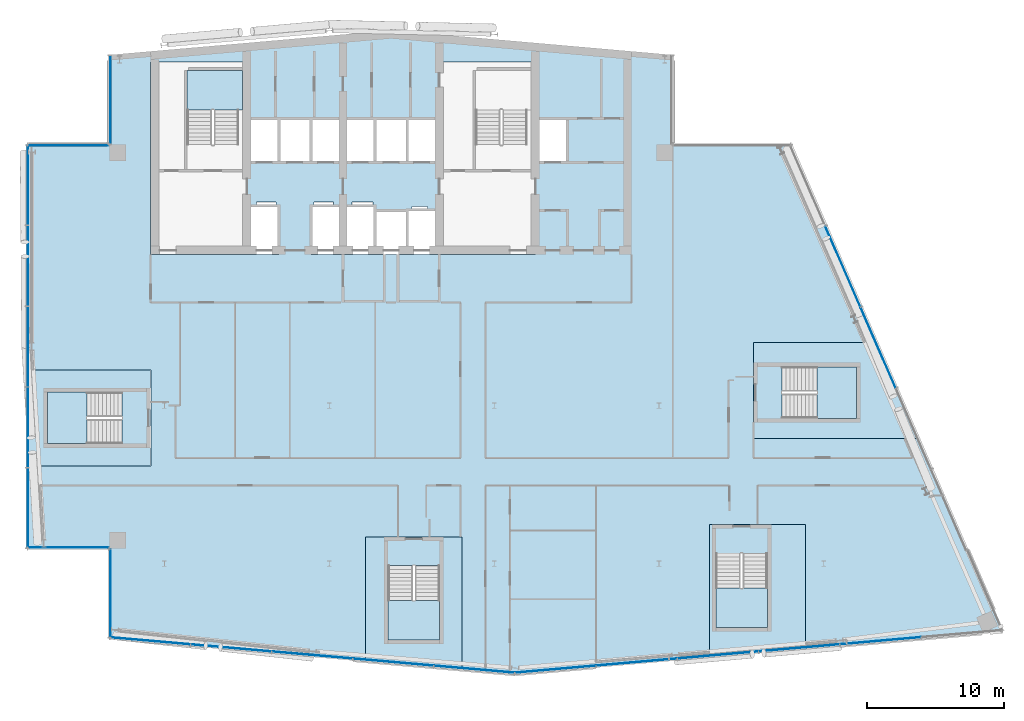
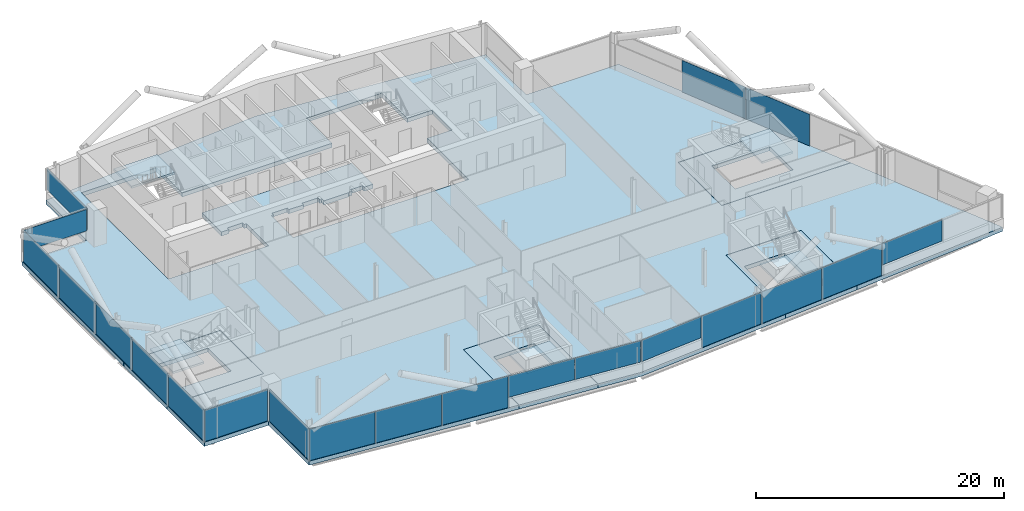
# One storey, part 13 of 26: 21 plates, 10 slabs, 13 elements without a shape of their own.
"""IFC4 building model written with IfcOpenShell, lengths in metres."""

import ifcopenshell
import ifcopenshell.guid

model = None  # the IFC model being written
_history = None  # IfcOwnerHistory: only IFC2X3 demands one
_inside = {}  # id of a spatial element -> (the spatial element, [elements in it])
_under = {}  # id of a project, library or spatial element -> (it, [spatial elements below it])
_declared = {}  # id of a project -> (the project, [libraries it declares])
_typed = {}  # id of a type object -> (the type object, [elements of that type])
_made_of = {}  # id of a material, layer set ... -> (it, [elements and type objects made of it])


def new_model(schema):
    """Start an empty IFC model of exactly this schema.

    Asked for "IFC4X3", IfcOpenShell would pick the latest addendum, in which some entities
    have other attributes; the version numbers below select the first issue.
    IFC2X3 requires an IfcOwnerHistory on every rooted entity: one is made here for all.
    """
    global model, _history
    if schema == "IFC4X3":
        model = ifcopenshell.file(schema_version=(4, 3, 0, 0))
    else:
        model = ifcopenshell.file(schema=schema)
    _inside.clear()
    _under.clear()
    _declared.clear()
    _typed.clear()
    _made_of.clear()
    _history = None
    if model.schema == "IFC2X3":
        org = make("IfcOrganization", Name="unknown")
        user = make(
            "IfcPersonAndOrganization",
            ThePerson=make("IfcPerson", FamilyName="unknown"),
            TheOrganization=org,
        )
        app = make(
            "IfcApplication",
            ApplicationDeveloper=org,
            Version="unknown",
            ApplicationFullName="unknown",
            ApplicationIdentifier="unknown",
        )
        _history = make(
            "IfcOwnerHistory",
            OwningUser=user,
            OwningApplication=app,
            ChangeAction="ADDED",
            CreationDate=0,
        )
    return model


def make(cls, **values):
    """One entity of the class cls with the attributes given. An attribute that is None is left unset."""
    return model.create_entity(
        cls, **{name: value for name, value in values.items() if value is not None}
    )


def rooted(cls, **values):
    """An entity with a GlobalId (a new one), such as an element, a storey or a relation."""
    return make(cls, GlobalId=ifcopenshell.guid.new(), OwnerHistory=_history, **values)


def si_unit(unit_type, name, prefix=None):
    """IfcSIUnit, for example si_unit("LENGTHUNIT", "METRE", prefix="MILLI")."""
    return make("IfcSIUnit", UnitType=unit_type, Prefix=prefix, Name=name)


def assignment(units):
    """IfcUnitAssignment: the units of a project."""
    return None if units is None else make("IfcUnitAssignment", Units=units)


def point(xyz):
    """IfcCartesianPoint."""
    return None if xyz is None else make("IfcCartesianPoint", Coordinates=xyz)


def direction(xyz):
    """IfcDirection."""
    return None if xyz is None else make("IfcDirection", DirectionRatios=xyz)


def frame(location, z_axis=None, x_axis=None):
    """IfcAxis2Placement3D, a coordinate frame: its origin and axes. An axis left out is left unset."""
    return make(
        "IfcAxis2Placement3D",
        Location=point(location),
        Axis=direction(z_axis),
        RefDirection=direction(x_axis),
    )


def frame_2d(location, x_axis=None):
    """IfcAxis2Placement2D, a coordinate frame in the plane: its origin and x axis."""
    return make(
        "IfcAxis2Placement2D", Location=point(location), RefDirection=direction(x_axis)
    )


def origin():
    """The frame at (0, 0, 0) with its axes left unset."""
    return frame((0.0, 0.0, 0.0))


def origin_2d():
    """The frame at (0, 0) in the plane with its x axis left unset."""
    return frame_2d((0.0, 0.0))


def place(relative_to, where):
    """IfcLocalPlacement: puts the frame where relative to a parent placement (None: the world)."""
    return make(
        "IfcLocalPlacement", PlacementRelTo=relative_to, RelativePlacement=where
    )


def context(
    kind, dimensions, precision=None, world=None, true_north=None, identifier=None
):
    """IfcGeometricRepresentationContext, for example the 3D "Model" context."""
    return make(
        "IfcGeometricRepresentationContext",
        ContextIdentifier=identifier,
        ContextType=kind,
        CoordinateSpaceDimension=dimensions,
        Precision=precision,
        WorldCoordinateSystem=world,
        TrueNorth=true_north,
    )


def subcontext(parent, identifier, kind, view, scale=None):
    """IfcGeometricRepresentationSubContext, for example "Body" below "Model"."""
    return make(
        "IfcGeometricRepresentationSubContext",
        ContextIdentifier=identifier,
        ContextType=kind,
        ParentContext=parent,
        TargetScale=scale,
        TargetView=view,
    )


def project(units=None, contexts=None):
    """IfcProject with its units and contexts."""
    return rooted(
        "IfcProject",
        Name="project",
        RepresentationContexts=contexts,
        UnitsInContext=assignment(units),
    )


def spatial(cls, under=None, at=None, **own):
    """A site, building, storey or space (cls), placed at a placement, below another one or the project."""
    s = rooted(cls, ObjectPlacement=at, **own)
    if under is not None:
        _under.setdefault(under.id(), (under, []))[1].append(s)
    return s


def polyline(points):
    """IfcPolyline through the points."""
    return make("IfcPolyline", Points=[point(p) for p in points])


def profile(cls, at=None, kind="AREA", **sizes):
    """A parametric profile (cls). Its sizes go by their IFC names, for example OverallWidth=200.0."""
    return make(cls, ProfileType=kind, Position=at, **sizes)


def rectangle(**sizes):
    """IfcRectangleProfileDef."""
    return profile("IfcRectangleProfileDef", **sizes)


def outline(outer, holes=None, kind="AREA"):
    """IfcArbitraryClosedProfileDef: a profile drawn as a closed curve; with holes, ...WithVoids."""
    if holes is None:
        return make("IfcArbitraryClosedProfileDef", ProfileType=kind, OuterCurve=outer)
    return make(
        "IfcArbitraryProfileDefWithVoids",
        ProfileType=kind,
        OuterCurve=outer,
        InnerCurves=holes,
    )


def extrude(swept, where, along, depth):
    """IfcExtrudedAreaSolid: the profile swept, set in the frame where, extruded along a direction by depth."""
    return make(
        "IfcExtrudedAreaSolid",
        SweptArea=swept,
        Position=where,
        ExtrudedDirection=direction(along),
        Depth=depth,
    )


def shape(context_of_items, identifier, shape_type, items):
    """IfcShapeRepresentation: the items that make up one representation, for example the "Body"."""
    return make(
        "IfcShapeRepresentation",
        ContextOfItems=context_of_items,
        RepresentationIdentifier=identifier,
        RepresentationType=shape_type,
        Items=items,
    )


def material(Name=None, Category=None):
    """IfcMaterial."""
    return make("IfcMaterial", Name=Name, Category=Category)


def layer(
    of_material, thickness, ventilated=None, Name=None, Category=None, Priority=None
):
    """IfcMaterialLayer: one layer of a wall or slab, of a material (None: an air gap)."""
    return make(
        "IfcMaterialLayer",
        Material=of_material,
        LayerThickness=thickness,
        IsVentilated=ventilated,
        Name=Name,
        Category=Category,
        Priority=Priority,
    )


def layer_set(layers, Name=None):
    """IfcMaterialLayerSet."""
    return make("IfcMaterialLayerSet", MaterialLayers=layers, LayerSetName=Name)


def made_of(thing, what):
    """Note that an element or type object is made of a material, layer set ...; save() writes the relation."""
    if what is not None:
        _made_of.setdefault(what.id(), (what, []))[1].append(thing)
    return thing


def type_object(cls, material=None, **own):
    """A type object (cls), such as IfcWallType, which elements share."""
    return made_of(rooted(cls, **own), material)


def element(
    cls,
    number,
    at=None,
    inside=None,
    cuts=None,
    type_object=None,
    material=None,
    context=None,
    identifier="Body",
    shape_type=None,
    held_by="IfcProductDefinitionShape",
    body=None,
    shapes=None,
    **own,
):
    """One element of the class cls, such as IfcWall. Its Tag is "e" and its number.

    at: its placement. inside: the storey or other place that contains it. cuts: it is an
    opening in that element (IfcRelVoidsElement). A single representation is given by context,
    identifier, shape_type and body (its items); several are given by shapes. held_by: the class
    of the entity that holds the representations. save() writes the other relations.
    """
    e = rooted(cls, Tag="e%d" % number, ObjectPlacement=at, **own)
    if body is not None:
        shapes = [shape(context, identifier, shape_type, body)]
    if shapes is not None:
        e.Representation = make(held_by, Representations=shapes)
    if inside is not None:
        _inside.setdefault(inside.id(), (inside, []))[1].append(e)
    if cuts is not None:
        rooted(
            "IfcRelVoidsElement", RelatingBuildingElement=cuts, RelatedOpeningElement=e
        )
    if type_object is not None:
        _typed.setdefault(type_object.id(), (type_object, []))[1].append(e)
    return made_of(e, material)


def aggregate(whole, parts):
    """IfcRelAggregates: a whole, such as a stair, and the parts it consists of."""
    return rooted("IfcRelAggregates", RelatingObject=whole, RelatedObjects=parts)


def save(model, path):
    """Write the relations noted so far, then the file.

    IfcRelAggregates (storeys below a building ...), IfcRelContainedInSpatialStructure (elements
    in a storey), IfcRelDefinesByType, IfcRelAssociatesMaterial and IfcRelDeclares: one each for
    every whole, place, type object, material and project.
    """
    for whole, parts in _under.values():
        aggregate(whole, parts)
    for where, things in _inside.values():
        rooted(
            "IfcRelContainedInSpatialStructure",
            RelatedElements=things,
            RelatingStructure=where,
        )
    for kind, things in _typed.values():
        rooted("IfcRelDefinesByType", RelatedObjects=things, RelatingType=kind)
    for what, things in _made_of.values():
        rooted("IfcRelAssociatesMaterial", RelatedObjects=things, RelatingMaterial=what)
    for by, libraries in _declared.values():
        rooted("IfcRelDeclares", RelatingContext=by, RelatedDefinitions=libraries)
    model.write(path)


model = new_model("IFC4")

# Units and contexts
model_context = context("Model", 3, precision=1e-05, world=origin(), true_north=direction((0.0, 1.0)))
body_context = subcontext(model_context, "Body", "Model", "MODEL_VIEW")
ifc_project = project(units=[si_unit("LENGTHUNIT", "METRE"), si_unit("AREAUNIT", "SQUARE_METRE"), si_unit("VOLUMEUNIT", "CUBIC_METRE"), si_unit("PLANEANGLEUNIT", "RADIAN"), si_unit("MASSUNIT", "GRAM", prefix="KILO")], contexts=[model_context])

# Site, building, storey
site_placement = place(None, origin())
site = spatial("IfcSite", under=ifc_project, at=site_placement, CompositionType="ELEMENT")
building_placement = place(site_placement, origin())
building = spatial("IfcBuilding", under=site, at=building_placement, Name="Wharfspan Tower", CompositionType="ELEMENT")
storey_placement = place(building_placement, frame((0.0, 0.0, 217.899902)))
storey = spatial("IfcBuildingStorey", under=building, at=storey_placement, Name="L54", CompositionType="ELEMENT", Elevation=217.899902)

# Curtain wall, plates
ifc_material_1 = material(Name="Aluminium 6063-T6", Category="aluminium")
curtain_wall_type_1 = type_object("IfcCurtainWallType", Name="CURTAIN WALL FACETED FRONT", PredefinedType="NOTDEFINED", material=ifc_material_1)
curtain_wall_1_placement = place(storey_placement, origin())
curtain_wall_1 = element("IfcCurtainWall", 1, at=curtain_wall_1_placement, inside=storey, type_object=curtain_wall_type_1, Name="Curtain wall S1", PredefinedType="NOTDEFINED")
ifc_material_2 = material(Name="Glass clear low-iron double glazing", Category="glass")
ifc_layer_1 = layer(ifc_material_2, 0.040039)
ifc_layer_set_1 = layer_set([ifc_layer_1], Name="Glass clear low-iron double glazing")
plate_type_1 = type_object("IfcPlateType", Name="GLASS PANEL FACETED FRONT 40", PredefinedType="CURTAIN_PANEL", material=ifc_layer_set_1)
plate_1_placement = place(storey_placement, frame((40.655273, 4.328125, 1.0), z_axis=(0.0, 0.0, 1.0), x_axis=(0.996197, -0.087156, 0.0)))
plate_1 = element("IfcPlate", 2, at=plate_1_placement, type_object=plate_type_1, Name="Curtain wall S1 panel 4", PredefinedType="CURTAIN_PANEL", context=body_context, shape_type="SweptSolid", body=[
    extrude(rectangle(XDim=5.862549, YDim=0.040039, at=origin_2d()), origin(), (0.0, 0.0, 1.0), 2.120117),
])
plate_2_placement = place(storey_placement, frame((46.540283, 3.813232, 1.0), z_axis=(0.0, 0.0, 1.0), x_axis=(0.996197, -0.087156, 0.0)))
plate_2 = element("IfcPlate", 3, at=plate_2_placement, type_object=plate_type_1, Name="Curtain wall S1 panel 5", PredefinedType="CURTAIN_PANEL", context=body_context, shape_type="SweptSolid", body=[
    extrude(rectangle(XDim=5.83252, YDim=0.040039, at=origin_2d()), origin(), (0.0, 0.0, 1.0), 2.120117),
])

curtain_wall_2_placement = place(storey_placement, origin())
curtain_wall_2 = element("IfcCurtainWall", 4, at=curtain_wall_2_placement, inside=storey, type_object=curtain_wall_type_1, Name="Curtain wall S2", PredefinedType="NOTDEFINED")
plate_3_placement = place(storey_placement, frame((52.468018, 3.813965, 1.0), z_axis=(0.0, 0.0, 1.0), x_axis=(0.996197, 0.087156, 0.0)))
plate_3 = element("IfcPlate", 5, at=plate_3_placement, type_object=plate_type_1, Name="Curtain wall S2 panel 1", PredefinedType="CURTAIN_PANEL", context=body_context, shape_type="SweptSolid", body=[
    extrude(rectangle(XDim=5.849365, YDim=0.040039, at=origin_2d()), origin(), (0.0, 0.0, 1.0), 2.120117),
])
plate_4_placement = place(storey_placement, frame((76.119873, 5.883301, 1.0), z_axis=(0.0, 0.0, 1.0), x_axis=(0.996197, 0.087156, 0.0)))
plate_4 = element("IfcPlate", 6, at=plate_4_placement, type_object=plate_type_1, Name="Curtain wall S2 panel 5", PredefinedType="CURTAIN_PANEL", context=body_context, shape_type="SweptSolid", body=[
    extrude(rectangle(XDim=5.87915, YDim=0.040039, at=origin_2d()), origin(), (0.0, 0.0, 1.0), 2.120117),
])

# Curtain wall, plate
curtain_wall_type_2 = type_object("IfcCurtainWallType", Name="CURTAIN WALL PROW AND END", PredefinedType="NOTDEFINED", material=ifc_material_1)
curtain_wall_3_placement = place(storey_placement, origin())
curtain_wall_3 = element("IfcCurtainWall", 7, at=curtain_wall_3_placement, inside=storey, type_object=curtain_wall_type_2, Name="Curtain wall NRW-V", PredefinedType="NOTDEFINED")
ifc_layer_2 = layer(ifc_material_2, 0.040039)
ifc_layer_set_2 = layer_set([ifc_layer_2], Name="Glass clear low-iron double glazing")
plate_type_2 = type_object("IfcPlateType", Name="GLASS PANEL PROW AND END 40", PredefinedType="CURTAIN_PANEL", material=ifc_layer_set_2)
plate_5_placement = place(storey_placement, frame((20.080078, 45.262451, 1.0), z_axis=(0.0, 0.0, 1.0), x_axis=(0.0, -1.0, 0.0)))
plate_5 = element("IfcPlate", 8, at=plate_5_placement, type_object=plate_type_2, Name="Curtain wall NRW-V panel 1", PredefinedType="CURTAIN_PANEL", context=body_context, shape_type="SweptSolid", body=[
    extrude(rectangle(XDim=6.405029, YDim=0.040039, at=origin_2d()), origin(), (0.0, 0.0, 1.0), 2.120117),
])
aggregate(curtain_wall_3, [plate_5])

curtain_wall_4_placement = place(storey_placement, origin())
curtain_wall_4 = element("IfcCurtainWall", 9, at=curtain_wall_4_placement, inside=storey, type_object=curtain_wall_type_2, Name="Curtain wall NRW-H", PredefinedType="NOTDEFINED")
plate_6_placement = place(storey_placement, frame((17.0, 41.919922, 1.0), z_axis=(0.0, 0.0, 1.0), x_axis=(-1.0, 0.0, 0.0)))
plate_6 = element("IfcPlate", 10, at=plate_6_placement, type_object=plate_type_2, Name="Curtain wall NRW-H panel 1", PredefinedType="CURTAIN_PANEL", context=body_context, shape_type="SweptSolid", body=[
    extrude(rectangle(XDim=5.879883, YDim=0.040039, at=origin_2d()), origin(), (0.0, 0.0, 1.0), 2.120117),
])
aggregate(curtain_wall_4, [plate_6])

# Plate
ifc_material_3 = material(Name="Aluminium composite opaque insulated panel", Category="aluminium")
ifc_layer_3 = layer(ifc_material_3, 0.040039)
ifc_layer_set_3 = layer_set([ifc_layer_3], Name="Aluminium composite opaque insulated panel")
plate_type_3 = type_object("IfcPlateType", Name="INFILL PANEL FACETED FRONT OPAQUE 40", PredefinedType="SHEET", material=ifc_layer_set_3)
plate_7_placement = place(storey_placement, frame((22.970215, 5.875488, 0.0), z_axis=(0.0, 0.0, 1.0), x_axis=(0.996197, -0.087156, 0.0)))
plate_7 = element("IfcPlate", 11, at=plate_7_placement, type_object=plate_type_3, Name="Curtain wall S1 panel 1", PredefinedType="SHEET", context=body_context, shape_type="SweptSolid", body=[
    extrude(rectangle(XDim=5.83252, YDim=0.040039, at=origin_2d()), origin(), (0.0, 0.0, 1.0), 3.120117),
])

plate_8_placement = place(storey_placement, frame((28.855225, 5.360596, 0.0), z_axis=(0.0, 0.0, 1.0), x_axis=(0.996197, -0.087156, 0.0)))
plate_8 = element("IfcPlate", 12, at=plate_8_placement, type_object=plate_type_3, Name="Curtain wall S1 panel 2", PredefinedType="SHEET", context=body_context, shape_type="SweptSolid", body=[
    extrude(rectangle(XDim=5.862549, YDim=0.040039, at=origin_2d()), origin(), (0.0, 0.0, 1.0), 3.120117),
])

plate_9_placement = place(storey_placement, frame((34.755127, 4.844482, 0.0), z_axis=(0.0, 0.0, 1.0), x_axis=(0.996197, -0.087156, 0.0)))
plate_9 = element("IfcPlate", 13, at=plate_9_placement, type_object=plate_type_3, Name="Curtain wall S1 panel 3", PredefinedType="SHEET", context=body_context, shape_type="SweptSolid", body=[
    extrude(rectangle(XDim=5.862549, YDim=0.040039, at=origin_2d()), origin(), (0.0, 0.0, 1.0), 3.120117),
])

aggregate(curtain_wall_1, [plate_7, plate_8, plate_9, plate_1, plate_2])

plate_10_placement = place(storey_placement, frame((58.369873, 4.330322, 0.0), z_axis=(0.0, 0.0, 1.0), x_axis=(0.996197, 0.087156, 0.0)))
plate_10 = element("IfcPlate", 14, at=plate_10_placement, type_object=plate_type_3, Name="Curtain wall S2 panel 2", PredefinedType="SHEET", context=body_context, shape_type="SweptSolid", body=[
    extrude(rectangle(XDim=5.87915, YDim=0.040039, at=origin_2d()), origin(), (0.0, 0.0, 1.0), 3.120117),
])

plate_11_placement = place(storey_placement, frame((64.286377, 4.848145, 0.0), z_axis=(0.0, 0.0, 1.0), x_axis=(0.996197, 0.087156, 0.0)))
plate_11 = element("IfcPlate", 15, at=plate_11_placement, type_object=plate_type_3, Name="Curtain wall S2 panel 3", PredefinedType="SHEET", context=body_context, shape_type="SweptSolid", body=[
    extrude(rectangle(XDim=5.87915, YDim=0.040039, at=origin_2d()), origin(), (0.0, 0.0, 1.0), 3.120117),
])

plate_12_placement = place(storey_placement, frame((70.203125, 5.365723, 0.0), z_axis=(0.0, 0.0, 1.0), x_axis=(0.996197, 0.087156, 0.0)))
plate_12 = element("IfcPlate", 16, at=plate_12_placement, type_object=plate_type_3, Name="Curtain wall S2 panel 4", PredefinedType="SHEET", context=body_context, shape_type="SweptSolid", body=[
    extrude(rectangle(XDim=5.87915, YDim=0.040039, at=origin_2d()), origin(), (0.0, 0.0, 1.0), 3.120117),
])

aggregate(curtain_wall_2, [plate_3, plate_10, plate_11, plate_12, plate_4])

# Curtain wall, plates
curtain_wall_5_placement = place(storey_placement, origin())
curtain_wall_5 = element("IfcCurtainWall", 17, at=curtain_wall_5_placement, inside=storey, type_object=curtain_wall_type_2, Name="Curtain wall E", PredefinedType="NOTDEFINED")
ifc_layer_4 = layer(ifc_material_3, 0.040039)
ifc_layer_set_4 = layer_set([ifc_layer_4], Name="Aluminium composite opaque insulated panel")
plate_type_4 = type_object("IfcPlateType", Name="INFILL PANEL PROW AND END OPAQUE 40", PredefinedType="SHEET", material=ifc_layer_set_4)
plate_13_placement = place(storey_placement, frame((75.948486, 27.218018, 0.0), z_axis=(0.0, 0.0, 1.0), x_axis=(-0.398727, 0.917072, 0.0)))
plate_13 = element("IfcPlate", 18, at=plate_13_placement, type_object=plate_type_4, Name="Curtain wall E panel 4", PredefinedType="SHEET", context=body_context, shape_type="SweptSolid", body=[
    extrude(rectangle(XDim=6.373535, YDim=0.040039, at=origin_2d()), origin(), (0.0, 0.0, 1.0), 3.120117),
])
plate_14_placement = place(storey_placement, frame((73.383057, 33.118164, 0.0), z_axis=(0.0, 0.0, 1.0), x_axis=(-0.398727, 0.917072, 0.0)))
plate_14 = element("IfcPlate", 19, at=plate_14_placement, type_object=plate_type_4, Name="Curtain wall E panel 5", PredefinedType="SHEET", context=body_context, shape_type="SweptSolid", body=[
    extrude(rectangle(XDim=6.373535, YDim=0.040039, at=origin_2d()), origin(), (0.0, 0.0, 1.0), 3.120117),
])
aggregate(curtain_wall_5, [plate_13, plate_14])

curtain_wall_6_placement = place(storey_placement, origin())
curtain_wall_6 = element("IfcCurtainWall", 20, at=curtain_wall_6_placement, inside=storey, type_object=curtain_wall_type_2, Name="Curtain wall W", PredefinedType="NOTDEFINED")
plate_15_placement = place(storey_placement, frame((14.080078, 39.044922, 0.0), z_axis=(0.0, 0.0, 1.0), x_axis=(0.0, -1.0, 0.0)))
plate_15 = element("IfcPlate", 21, at=plate_15_placement, type_object=plate_type_4, Name="Curtain wall W panel 1", PredefinedType="SHEET", context=body_context, shape_type="SweptSolid", body=[
    extrude(rectangle(XDim=5.790039, YDim=0.040039, at=origin_2d()), origin(), (0.0, 0.0, 1.0), 3.120117),
])
plate_16_placement = place(storey_placement, frame((14.080078, 33.179932, 0.0), z_axis=(0.0, 0.0, 1.0), x_axis=(0.0, -1.0, 0.0)))
plate_16 = element("IfcPlate", 22, at=plate_16_placement, type_object=plate_type_4, Name="Curtain wall W panel 2", PredefinedType="SHEET", context=body_context, shape_type="SweptSolid", body=[
    extrude(rectangle(XDim=5.820068, YDim=0.040039, at=origin_2d()), origin(), (0.0, 0.0, 1.0), 3.120117),
])
plate_17_placement = place(storey_placement, frame((14.080078, 27.300049, 0.0), z_axis=(0.0, 0.0, 1.0), x_axis=(0.0, -1.0, 0.0)))
plate_17 = element("IfcPlate", 23, at=plate_17_placement, type_object=plate_type_4, Name="Curtain wall W panel 3", PredefinedType="SHEET", context=body_context, shape_type="SweptSolid", body=[
    extrude(rectangle(XDim=5.820068, YDim=0.040039, at=origin_2d()), origin(), (0.0, 0.0, 1.0), 3.120117),
])
plate_18_placement = place(storey_placement, frame((14.080078, 21.419922, 0.0), z_axis=(0.0, 0.0, 1.0), x_axis=(0.0, -1.0, 0.0)))
plate_18 = element("IfcPlate", 24, at=plate_18_placement, type_object=plate_type_4, Name="Curtain wall W panel 4", PredefinedType="SHEET", context=body_context, shape_type="SweptSolid", body=[
    extrude(rectangle(XDim=5.820068, YDim=0.040039, at=origin_2d()), origin(), (0.0, 0.0, 1.0), 3.120117),
])
plate_19_placement = place(storey_placement, frame((14.080078, 15.554932, 0.0), z_axis=(0.0, 0.0, 1.0), x_axis=(0.0, -1.0, 0.0)))
plate_19 = element("IfcPlate", 25, at=plate_19_placement, type_object=plate_type_4, Name="Curtain wall W panel 5", PredefinedType="SHEET", context=body_context, shape_type="SweptSolid", body=[
    extrude(rectangle(XDim=5.790039, YDim=0.040039, at=origin_2d()), origin(), (0.0, 0.0, 1.0), 3.120117),
])
aggregate(curtain_wall_6, [plate_15, plate_16, plate_17, plate_18, plate_19])

# Curtain wall, plate
curtain_wall_7_placement = place(storey_placement, origin())
curtain_wall_7 = element("IfcCurtainWall", 26, at=curtain_wall_7_placement, inside=storey, type_object=curtain_wall_type_2, Name="Curtain wall NFW-H", PredefinedType="NOTDEFINED")
plate_20_placement = place(storey_placement, frame((17.0, 12.679932, 0.0), z_axis=(0.0, 0.0, 1.0), x_axis=(1.0, 0.0, 0.0)))
plate_20 = element("IfcPlate", 27, at=plate_20_placement, type_object=plate_type_4, Name="Curtain wall NFW-H panel 1", PredefinedType="SHEET", context=body_context, shape_type="SweptSolid", body=[
    extrude(rectangle(XDim=5.879883, YDim=0.040039, at=origin_2d()), origin(), (0.0, 0.0, 1.0), 3.120117),
])
aggregate(curtain_wall_7, [plate_20])

curtain_wall_8_placement = place(storey_placement, origin())
curtain_wall_8 = element("IfcCurtainWall", 28, at=curtain_wall_8_placement, inside=storey, type_object=curtain_wall_type_2, Name="Curtain wall NFW-V", PredefinedType="NOTDEFINED")
plate_21_placement = place(storey_placement, frame((20.080078, 9.337646, 0.0), z_axis=(0.0, 0.0, 1.0), x_axis=(0.0, -1.0, 0.0)))
plate_21 = element("IfcPlate", 29, at=plate_21_placement, type_object=plate_type_4, Name="Curtain wall NFW-V panel 1", PredefinedType="SHEET", context=body_context, shape_type="SweptSolid", body=[
    extrude(rectangle(XDim=6.405029, YDim=0.040039, at=origin_2d()), origin(), (0.0, 0.0, 1.0), 3.120117),
])
aggregate(curtain_wall_8, [plate_21])

# Slabs
ifc_material_4 = material(Name="Concrete C40/50", Category="concrete")
ifc_layer_5 = layer(ifc_material_4, 0.399902)
ifc_layer_set_5 = layer_set([ifc_layer_5], Name="Concrete C40/50")
slab_type_1 = type_object("IfcSlabType", Name="Post-tensioned flat slab 400", PredefinedType="FLOOR", material=ifc_layer_set_5)
slab_1_placement = place(storey_placement, frame((0.0, 0.0, -0.400146)))
element("IfcSlab", 30, at=slab_1_placement, inside=storey, type_object=slab_type_1, Name="Floor slab L54", PredefinedType="FLOOR", context=body_context, shape_type="SweptSolid", body=[
    extrude(outline(polyline([(38.64209, 4.444092), (38.64209, 13.453125), (45.662109, 13.453125), (45.662109, 3.829834), (49.5, 3.494141), (63.658691, 4.73291), (63.658691, 14.356201), (70.678711, 14.356201), (70.678711, 5.347168), (85.0, 6.600098), (78.91748, 20.590088), (66.859619, 20.590088), (66.859619, 27.610107), (75.865234, 27.610107), (69.608643, 42.0), (61.0, 42.0), (61.0, 48.524902), (40.5, 50.318359), (20.0, 48.524902), (20.0, 42.0), (14.0, 42.0), (14.0, 25.610107), (23.01001, 25.610107), (23.01001, 18.590088), (14.0, 18.590088), (14.0, 12.600098), (20.0, 12.600098), (20.0, 6.075195), (38.64209, 4.444092)]), holes=[polyline([(32.126709, 37.560059), (32.343262, 37.560059), (32.343262, 33.98999), (22.98999, 33.98999), (22.98999, 48.01001), (30.01001, 48.01001), (30.01001, 43.909912), (43.98999, 43.909912), (43.98999, 48.01001), (51.01001, 48.01001), (51.01001, 43.909912), (53.343262, 43.909912), (53.343262, 40.689941), (51.01001, 40.689941), (51.01001, 33.98999), (34.656738, 33.98999), (34.656738, 37.560059), (34.873291, 37.560059), (34.873291, 37.810059), (36.293213, 37.810059), (36.293213, 37.560059), (37.666748, 37.560059), (37.666748, 37.810059), (39.166748, 37.810059), (39.166748, 37.560059), (39.343262, 37.560059), (39.343262, 37.209961), (41.656738, 37.209961), (41.656738, 37.26001), (42.023193, 37.26001), (42.023193, 37.51001), (43.143311, 37.51001), (43.143311, 37.26001), (43.98999, 37.26001), (43.98999, 40.689941), (30.01001, 40.689941), (30.01001, 37.560059), (30.706787, 37.560059), (30.706787, 37.810059), (32.126709, 37.810059), (32.126709, 37.560059)])]), origin(), (0.0, 0.0, 1.0), 0.400146),
])
slab_2_placement = place(storey_placement, frame((0.0, 0.0, -0.400146)))
element("IfcSlab", 31, at=slab_2_placement, inside=storey, type_object=slab_type_1, Name="Core floor slab L54 part 1", PredefinedType="FLOOR", context=body_context, shape_type="SweptSolid", body=[
    extrude(outline(polyline([(23.0, 19.925049), (23.0, 24.274902), (23.0, 25.600098), (14.0, 25.600098), (14.0, 18.600098), (23.0, 18.600098), (23.0, 19.925049)]), holes=[polyline([(20.899902, 23.977051), (20.900146, 23.977051), (20.900391, 23.977051), (20.900635, 23.976807), (20.900879, 23.976807), (20.900879, 23.976807), (20.901123, 23.976807), (20.901367, 23.976562), (20.901367, 23.976318), (20.901611, 23.976318), (20.901611, 23.976074), (20.901855, 23.97583), (20.901855, 23.97583), (20.901855, 23.975586), (20.9021, 23.975342), (20.9021, 23.975098), (20.9021, 23.975098), (20.9021, 20.225098), (20.9021, 20.224854), (20.9021, 20.224609), (20.901855, 20.224365), (20.901855, 20.224121), (20.901855, 20.224121), (20.901611, 20.223877), (20.901611, 20.223633), (20.901367, 20.223633), (20.901367, 20.223389), (20.901123, 20.223389), (20.900879, 20.223145), (20.900879, 20.223145), (20.900635, 20.223145), (20.900391, 20.2229), (20.900146, 20.2229), (20.899902, 20.2229), (15.5, 20.2229), (15.499756, 20.2229), (15.499512, 20.2229), (15.499512, 20.223145), (15.499268, 20.223145), (15.499023, 20.223145), (15.498779, 20.223389), (15.498779, 20.223389), (15.498535, 20.223633), (15.498535, 20.223633), (15.498291, 20.223877), (15.498291, 20.224121), (15.498291, 20.224121), (15.498047, 20.224365), (15.498047, 20.224609), (15.498047, 20.224854), (15.498047, 20.225098), (15.498047, 23.975098), (15.498047, 23.975098), (15.498047, 23.975342), (15.498047, 23.975586), (15.498291, 23.97583), (15.498291, 23.97583), (15.498291, 23.976074), (15.498535, 23.976318), (15.498535, 23.976318), (15.498779, 23.976562), (15.498779, 23.976807), (15.499023, 23.976807), (15.499268, 23.976807), (15.499512, 23.976807), (15.499512, 23.977051), (15.499756, 23.977051), (15.5, 23.977051), (20.899902, 23.977051)])]), origin(), (0.0, 0.0, 1.0), 0.400146),
])
slab_3_placement = place(storey_placement, frame((0.0, 0.0, -0.400146)))
element("IfcSlab", 32, at=slab_3_placement, inside=storey, type_object=slab_type_1, Name="Core floor slab L54 part 3", PredefinedType="FLOOR", context=body_context, shape_type="SweptSolid", body=[
    extrude(outline(polyline([(44.327148, 13.443115), (39.977051, 13.443115), (38.6521, 13.443115), (38.6521, 4.443115), (45.6521, 3.830811), (45.6521, 13.443115), (44.327148, 13.443115)]), holes=[polyline([(40.275146, 11.343262), (40.275146, 11.343506), (40.275146, 11.343506), (40.275146, 11.34375), (40.275391, 11.343994), (40.275391, 11.344238), (40.275391, 11.344238), (40.275635, 11.344482), (40.275635, 11.344482), (40.275879, 11.344727), (40.275879, 11.344971), (40.276123, 11.344971), (40.276367, 11.345215), (40.276611, 11.345215), (40.276611, 11.345215), (40.276855, 11.345215), (40.2771, 11.345215), (44.0271, 11.345215), (44.027344, 11.345215), (44.027588, 11.345215), (44.027588, 11.345215), (44.027832, 11.345215), (44.028076, 11.344971), (44.02832, 11.344971), (44.02832, 11.344727), (44.028564, 11.344482), (44.028809, 11.344482), (44.028809, 11.344238), (44.028809, 11.344238), (44.029053, 11.343994), (44.029053, 11.34375), (44.029053, 11.343506), (44.029053, 11.343506), (44.029053, 11.343262), (44.029053, 5.943115), (44.029053, 5.943115), (44.029053, 5.942871), (44.029053, 5.942627), (44.029053, 5.942383), (44.028809, 5.942383), (44.028809, 5.942139), (44.028809, 5.941895), (44.028564, 5.941895), (44.02832, 5.94165), (44.02832, 5.94165), (44.028076, 5.941406), (44.027832, 5.941406), (44.027588, 5.941406), (44.027588, 5.941406), (44.027344, 5.941162), (44.0271, 5.941162), (40.2771, 5.941162), (40.276855, 5.941162), (40.276611, 5.941406), (40.276611, 5.941406), (40.276367, 5.941406), (40.276123, 5.941406), (40.275879, 5.94165), (40.275879, 5.94165), (40.275635, 5.941895), (40.275635, 5.941895), (40.275391, 5.942139), (40.275391, 5.942383), (40.275391, 5.942383), (40.275146, 5.942627), (40.275146, 5.942871), (40.275146, 5.943115), (40.275146, 5.943115), (40.275146, 11.343262)])]), origin(), (0.0, 0.0, 1.0), 0.400146),
])
slab_4_placement = place(storey_placement, frame((0.0, 0.0, -0.400146)))
element("IfcSlab", 33, at=slab_4_placement, inside=storey, type_object=slab_type_1, Name="Core floor slab L54 part 4", PredefinedType="FLOOR", context=body_context, shape_type="SweptSolid", body=[
    extrude(outline(polyline([(70.668701, 14.346191), (68.193848, 14.346191), (63.84375, 14.346191), (63.668701, 14.346191), (63.668701, 4.733887), (70.668701, 5.346191), (70.668701, 14.346191)]), holes=[polyline([(64.141846, 12.246094), (64.141846, 12.246338), (64.141846, 12.246582), (64.141846, 12.246826), (64.14209, 12.246826), (64.14209, 12.24707), (64.14209, 12.247314), (64.142334, 12.247559), (64.142334, 12.247559), (64.142578, 12.247803), (64.142578, 12.247803), (64.142822, 12.247803), (64.143066, 12.248047), (64.143311, 12.248047), (64.143311, 12.248047), (64.143555, 12.248291), (64.143799, 12.248291), (67.893799, 12.248291), (67.894043, 12.248291), (67.894287, 12.248047), (67.894287, 12.248047), (67.894531, 12.248047), (67.894775, 12.247803), (67.89502, 12.247803), (67.89502, 12.247803), (67.895264, 12.247559), (67.895508, 12.247559), (67.895508, 12.247314), (67.895508, 12.24707), (67.895752, 12.246826), (67.895752, 12.246826), (67.895752, 12.246582), (67.895752, 12.246338), (67.895752, 12.246094), (67.895752, 6.846191), (67.895752, 6.845947), (67.895752, 6.845703), (67.895752, 6.845703), (67.895752, 6.845459), (67.895508, 6.845215), (67.895508, 6.845215), (67.895508, 6.844971), (67.895264, 6.844727), (67.89502, 6.844482), (67.89502, 6.844482), (67.894775, 6.844482), (67.894531, 6.844238), (67.894287, 6.844238), (67.894287, 6.844238), (67.894043, 6.844238), (67.893799, 6.844238), (64.143799, 6.844238), (64.143555, 6.844238), (64.143311, 6.844238), (64.143311, 6.844238), (64.143066, 6.844238), (64.142822, 6.844482), (64.142578, 6.844482), (64.142578, 6.844482), (64.142334, 6.844727), (64.142334, 6.844971), (64.14209, 6.845215), (64.14209, 6.845215), (64.14209, 6.845459), (64.141846, 6.845703), (64.141846, 6.845703), (64.141846, 6.845947), (64.141846, 6.846191), (64.141846, 12.246094)])]), origin(), (0.0, 0.0, 1.0), 0.400146),
])
slab_5_placement = place(storey_placement, frame((0.0, 0.0, -0.400146)))
element("IfcSlab", 34, at=slab_5_placement, inside=storey, type_object=slab_type_1, Name="Core floor slab L54 part 5", PredefinedType="FLOOR", context=body_context, shape_type="SweptSolid", body=[
    extrude(outline(polyline([(75.869629, 27.600098), (66.869629, 27.600098), (66.869629, 26.125), (66.869629, 21.774902), (66.869629, 20.600098), (78.913086, 20.600098), (75.869629, 27.600098)]), holes=[polyline([(68.967529, 25.824951), (68.967529, 25.825195), (68.967529, 25.825439), (68.967773, 25.825684), (68.967773, 25.825684), (68.967773, 25.825928), (68.968018, 25.826172), (68.968018, 25.826416), (68.968262, 25.826416), (68.968262, 25.826416), (68.968506, 25.82666), (68.968506, 25.826904), (68.96875, 25.826904), (68.968994, 25.826904), (68.969238, 25.826904), (68.969482, 25.826904), (68.969482, 25.826904), (74.369629, 25.826904), (74.369873, 25.826904), (74.370117, 25.826904), (74.370117, 25.826904), (74.370361, 25.826904), (74.370605, 25.826904), (74.370605, 25.82666), (74.37085, 25.826416), (74.371094, 25.826416), (74.371094, 25.826416), (74.371094, 25.826172), (74.371338, 25.825928), (74.371338, 25.825684), (74.371582, 25.825684), (74.371582, 25.825439), (74.371582, 25.825195), (74.371582, 25.824951), (74.371582, 22.074951), (74.371582, 22.074707), (74.371582, 22.074707), (74.371582, 22.074463), (74.371338, 22.074219), (74.371338, 22.074219), (74.371094, 22.073975), (74.371094, 22.07373), (74.371094, 22.073486), (74.37085, 22.073486), (74.370605, 22.073242), (74.370605, 22.073242), (74.370361, 22.073242), (74.370117, 22.072998), (74.370117, 22.072998), (74.369873, 22.072998), (74.369629, 22.072998), (68.969482, 22.072998), (68.969482, 22.072998), (68.969238, 22.072998), (68.968994, 22.072998), (68.96875, 22.073242), (68.968506, 22.073242), (68.968506, 22.073242), (68.968262, 22.073486), (68.968262, 22.073486), (68.968018, 22.07373), (68.968018, 22.073975), (68.967773, 22.074219), (68.967773, 22.074219), (68.967773, 22.074463), (68.967529, 22.074707), (68.967529, 22.074707), (68.967529, 22.074951), (68.967529, 25.824951)])]), origin(), (0.0, 0.0, 1.0), 0.400146),
])

# Stair, slab
stair_type = type_object("IfcStairType", Name="Half-turn stair 20 risers 180 mm", PredefinedType="HALF_TURN_STAIR", material=ifc_material_4)
stair_1_placement = place(storey_placement, origin())
stair_1 = element("IfcStair", 35, at=stair_1_placement, inside=storey, type_object=stair_type, Name="L54 stair ST1", PredefinedType="HALF_TURN_STAIR")
ifc_layer_6 = layer(ifc_material_4, 0.199951)
ifc_layer_set_6 = layer_set([ifc_layer_6], Name="Concrete C40/50")
slab_type_2 = type_object("IfcSlabType", Name="Stair landing 200", PredefinedType="LANDING", material=ifc_layer_set_6)
slab_6_placement = place(storey_placement, frame((0.0, 0.0, 1.599854)))
slab_6 = element("IfcSlab", 36, at=slab_6_placement, type_object=slab_type_2, Name="ST1 landing 1", PredefinedType="LANDING", context=body_context, shape_type="SweptSolid", body=[
    extrude(outline(polyline([(25.649902, 44.52002), (29.699951, 44.52002), (29.699951, 47.399902), (25.649902, 47.399902), (25.649902, 44.52002)])), origin(), (0.0, 0.0, 1.0), 0.200195),
])
aggregate(stair_1, [slab_6])

stair_2_placement = place(storey_placement, origin())
stair_2 = element("IfcStair", 37, at=stair_2_placement, inside=storey, type_object=stair_type, Name="L54 stair ST3", PredefinedType="HALF_TURN_STAIR")
slab_7_placement = place(storey_placement, frame((0.0, 0.0, 1.599854)))
slab_7 = element("IfcSlab", 38, at=slab_7_placement, type_object=slab_type_2, Name="ST3 landing 1", PredefinedType="LANDING", context=body_context, shape_type="SweptSolid", body=[
    extrude(outline(polyline([(18.379883, 23.975098), (15.5, 23.975098), (15.5, 20.225098), (18.379883, 20.225098), (18.379883, 23.975098)])), origin(), (0.0, 0.0, 1.0), 0.200195),
])
aggregate(stair_2, [slab_7])

stair_3_placement = place(storey_placement, origin())
stair_3 = element("IfcStair", 39, at=stair_3_placement, inside=storey, type_object=stair_type, Name="L54 stair ST4", PredefinedType="HALF_TURN_STAIR")
slab_8_placement = place(storey_placement, frame((0.0, 0.0, 1.599854)))
slab_8 = element("IfcSlab", 40, at=slab_8_placement, type_object=slab_type_2, Name="ST4 landing 1", PredefinedType="LANDING", context=body_context, shape_type="SweptSolid", body=[
    extrude(outline(polyline([(40.2771, 8.823242), (40.2771, 5.943115), (44.0271, 5.943115), (44.0271, 8.823242), (40.2771, 8.823242)])), origin(), (0.0, 0.0, 1.0), 0.200195),
])
aggregate(stair_3, [slab_8])

stair_4_placement = place(storey_placement, origin())
stair_4 = element("IfcStair", 41, at=stair_4_placement, inside=storey, type_object=stair_type, Name="L54 stair ST5", PredefinedType="HALF_TURN_STAIR")
slab_9_placement = place(storey_placement, frame((0.0, 0.0, 1.599854)))
slab_9 = element("IfcSlab", 42, at=slab_9_placement, type_object=slab_type_2, Name="ST5 landing 1", PredefinedType="LANDING", context=body_context, shape_type="SweptSolid", body=[
    extrude(outline(polyline([(64.143799, 9.726074), (64.143799, 6.846191), (67.893799, 6.846191), (67.893799, 9.726074), (64.143799, 9.726074)])), origin(), (0.0, 0.0, 1.0), 0.200195),
])
aggregate(stair_4, [slab_9])

stair_5_placement = place(storey_placement, origin())
stair_5 = element("IfcStair", 43, at=stair_5_placement, inside=storey, type_object=stair_type, Name="L54 stair ST6", PredefinedType="HALF_TURN_STAIR")
slab_10_placement = place(storey_placement, frame((0.0, 0.0, 1.599854)))
slab_10 = element("IfcSlab", 44, at=slab_10_placement, type_object=slab_type_2, Name="ST6 landing 1", PredefinedType="LANDING", context=body_context, shape_type="SweptSolid", body=[
    extrude(outline(polyline([(71.489502, 22.074951), (74.369629, 22.074951), (74.369629, 25.824951), (71.489502, 25.824951), (71.489502, 22.074951)])), origin(), (0.0, 0.0, 1.0), 0.200195),
])
aggregate(stair_5, [slab_10])

save(model, "model.ifc")
